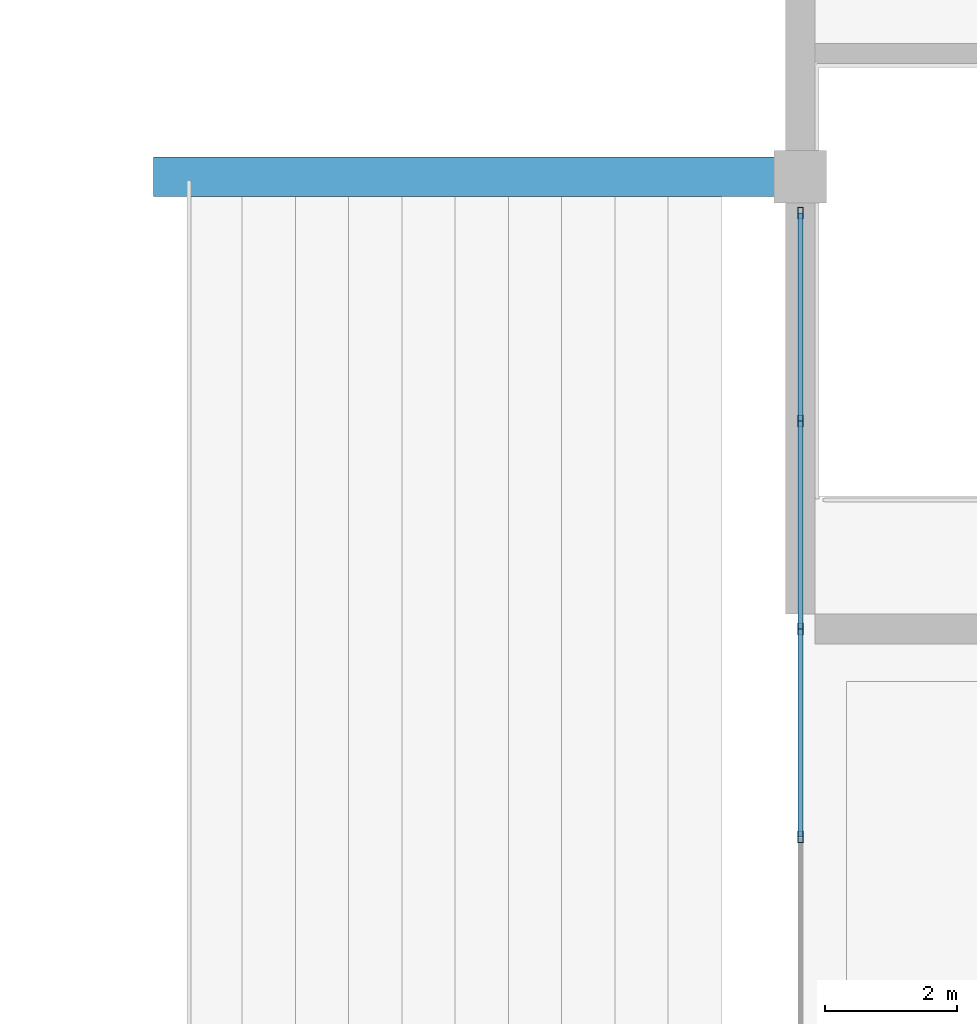
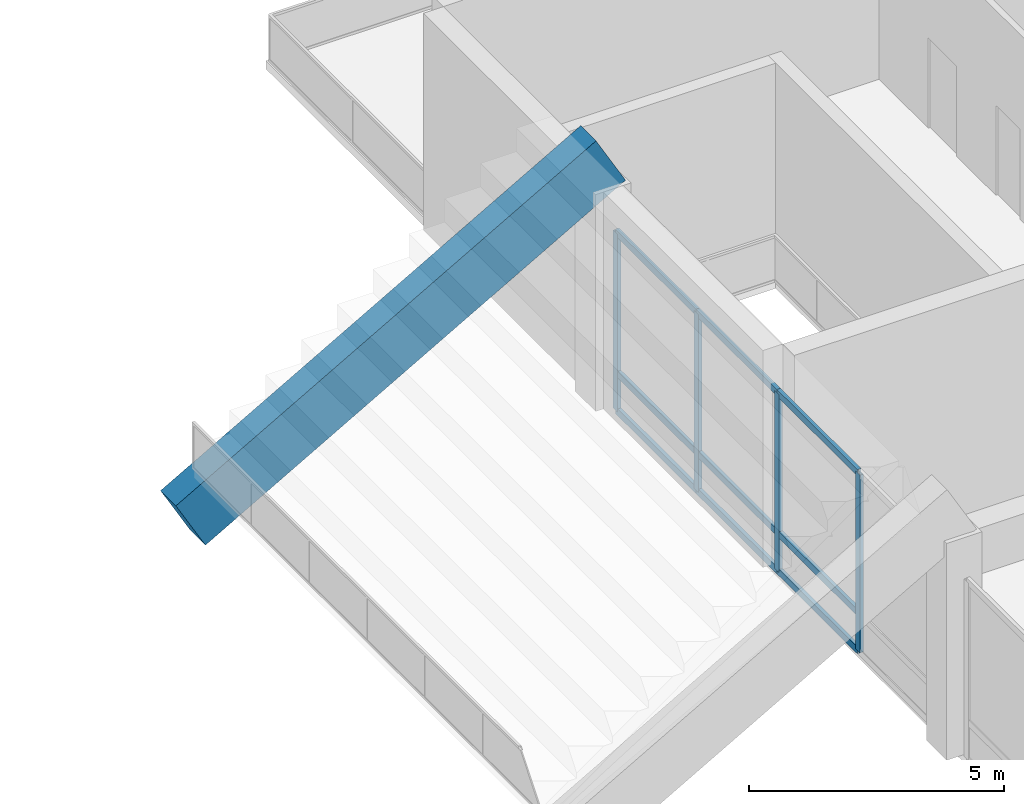
# One storey, part 42 of 90: 13 members, 1 beam, 1 element without a shape of its own.
"""IFC4 building model written with IfcOpenShell, lengths in metres."""

from ifc_helpers import new_model, si_unit, direction, frame, origin, origin_2d, place, context, subcontext, project, spatial, rectangle, hollow_rectangle, extrude, material, material_profile, profile_set, type_object, element, aggregate, save


model = new_model("IFC4")

# Units and contexts
model_context = context("Model", 3, precision=1e-05, world=origin(), true_north=direction((0.0, 1.0)))
body_context = subcontext(model_context, "Body", "Model", "MODEL_VIEW")
ifc_project = project(units=[si_unit("LENGTHUNIT", "METRE"), si_unit("AREAUNIT", "SQUARE_METRE"), si_unit("VOLUMEUNIT", "CUBIC_METRE"), si_unit("PLANEANGLEUNIT", "RADIAN"), si_unit("MASSUNIT", "GRAM", prefix="KILO")], contexts=[model_context])

# Site, building, storey
site_placement = place(None, origin())
site = spatial("IfcSite", under=ifc_project, at=site_placement, CompositionType="ELEMENT")
building_placement = place(site_placement, origin())
building = spatial("IfcBuilding", under=site, at=building_placement, Name="Linyun Crest Stadium", CompositionType="ELEMENT")
storey_placement = place(building_placement, frame((0.0, 0.0, 21.0)))
storey = spatial("IfcBuildingStorey", under=building, at=storey_placement, Name="L05", CompositionType="ELEMENT", Elevation=21.0)

# Curtain wall, members
ifc_material_1 = material(Name="Verdigris steel and low-E curtain wall assembly", Category="steel")
curtain_wall_type = type_object("IfcCurtainWallType", Name="MCW01", PredefinedType="NOTDEFINED", material=ifc_material_1)
curtain_wall_placement = place(storey_placement, origin())
curtain_wall = element("IfcCurtainWall", 1, at=curtain_wall_placement, inside=storey, type_object=curtain_wall_type, Name="CWR-126", PredefinedType="NOTDEFINED")
ifc_material_2 = material(Name="Verdigris painted steel Q355B mullion", Category="steel")
ifc_material_profile_1 = material_profile(ifc_material_2, hollow_rectangle(XDim=0.080078125, YDim=0.179931640625, WallThickness=0.006103515625, at=origin_2d()), Name="RHS 180x80x6")
ifc_profile_set_1 = profile_set([ifc_material_profile_1], Name="Verdigris painted steel Q355B mullion")
member_type_1 = type_object("IfcMemberType", Name="ML02", PredefinedType="MULLION", material=ifc_profile_set_1)
member_1_placement = place(storey_placement, frame((70.0, 33.337890625, 0.0), z_axis=(0.0, 0.0, 1.0), x_axis=(-1.0, 0.0, 0.0)))
member_1 = element("IfcMember", 2, at=member_1_placement, type_object=member_type_1, Name="CWR-126 mullion 2", PredefinedType="MULLION", context=body_context, shape_type="SweptSolid", body=[
    extrude(hollow_rectangle(XDim=0.080078125, YDim=0.179931640625, WallThickness=0.006103515625, at=origin_2d()), origin(), (0.0, 0.0, 1.0), 4.25),
])
member_2_placement = place(storey_placement, frame((70.0, 36.5, 0.0), z_axis=(0.0, 0.0, 1.0), x_axis=(-1.0, 0.0, 0.0)))
member_2 = element("IfcMember", 3, at=member_2_placement, type_object=member_type_1, Name="CWR-126 mullion 3", PredefinedType="MULLION", context=body_context, shape_type="SweptSolid", body=[
    extrude(hollow_rectangle(XDim=0.080078125, YDim=0.179931640625, WallThickness=0.006103515625, at=origin_2d()), origin(), (0.0, 0.0, 1.0), 4.25),
])
member_3_placement = place(storey_placement, frame((70.0, 39.662109375, 0.0), z_axis=(0.0, 0.0, 1.0), x_axis=(-1.0, 0.0, 0.0)))
member_3 = element("IfcMember", 4, at=member_3_placement, type_object=member_type_1, Name="CWR-126 mullion 4", PredefinedType="MULLION", context=body_context, shape_type="SweptSolid", body=[
    extrude(hollow_rectangle(XDim=0.080078125, YDim=0.179931640625, WallThickness=0.006103515625, at=origin_2d()), origin(), (0.0, 0.0, 1.0), 4.25),
])
member_4_placement = place(storey_placement, frame((70.0, 42.824951171875, 0.0), z_axis=(0.0, 0.0, 1.0), x_axis=(-1.0, 0.0, 0.0)))
member_4 = element("IfcMember", 5, at=member_4_placement, type_object=member_type_1, Name="CWR-126 mullion 5", PredefinedType="MULLION", context=body_context, shape_type="SweptSolid", body=[
    extrude(hollow_rectangle(XDim=0.080078125, YDim=0.179931640625, WallThickness=0.006103515625, at=origin_2d()), origin(), (0.0, 0.0, 1.0), 4.25),
])

# Beam
ifc_material_3 = material(Name="Precast concrete C50", Category="concrete")
ifc_material_profile_2 = material_profile(ifc_material_3, rectangle(XDim=0.60009765625, YDim=1.35009765625, at=origin_2d()), Name="PCR 1350x600")
ifc_profile_set_2 = profile_set([ifc_material_profile_2], Name="Precast concrete C50")
beam_type = type_object("IfcBeamType", Name="RB03", PredefinedType="USERDEFINED", material=ifc_profile_set_2)
beam_placement = place(storey_placement, frame((60.5, 43.375, 0.39990234375), z_axis=(0.869361451527, 0.0, 0.494176756433), x_axis=(0.0, 1.0, 0.0)))
element("IfcBeam", 6, at=beam_placement, inside=storey, type_object=beam_type, Name="Precast raker beam RB03 V2 64", ObjectType="RAKER", PredefinedType="USERDEFINED", context=body_context, shape_type="SweptSolid", body=[
    extrude(rectangle(XDim=0.60009765625, YDim=1.35009765625, at=origin_2d()), origin(), (0.0, 0.0, 1.0), 10.927490234375),
])

# Member
ifc_material_4 = material(Name="Aluminium thermally broken transom", Category="aluminium")
ifc_material_profile_3 = material_profile(ifc_material_4, hollow_rectangle(XDim=0.080078125, YDim=0.159912109375, WallThickness=0.006103515625, at=origin_2d()), Name="RHS 160x80x6")
ifc_profile_set_3 = profile_set([ifc_material_profile_3], Name="Aluminium thermally broken transom")
member_type_2 = type_object("IfcMemberType", Name="TR01", PredefinedType="USERDEFINED", material=ifc_profile_set_3)
member_5_placement = place(storey_placement, frame((70.0, 33.337890625, 0.0), z_axis=(0.0, 1.0, 0.0), x_axis=(-1.0, 0.0, 0.0)))
member_5 = element("IfcMember", 7, at=member_5_placement, type_object=member_type_2, Name="CWR-126 transom 2.1", ObjectType="TRANSOM", PredefinedType="USERDEFINED", context=body_context, shape_type="SweptSolid", body=[
    extrude(hollow_rectangle(XDim=0.080078125, YDim=0.159912109375, WallThickness=0.006103515625, at=origin_2d()), origin(), (0.0, 0.0, 1.0), 3.162109375),
])

member_6_placement = place(storey_placement, frame((70.0, 33.337890625, 0.89990234375), z_axis=(0.0, 1.0, 0.0), x_axis=(-1.0, 0.0, 0.0)))
member_6 = element("IfcMember", 8, at=member_6_placement, type_object=member_type_2, Name="CWR-126 transom 2.2", ObjectType="TRANSOM", PredefinedType="USERDEFINED", context=body_context, shape_type="SweptSolid", body=[
    extrude(hollow_rectangle(XDim=0.080078125, YDim=0.159912109375, WallThickness=0.006103515625, at=origin_2d()), origin(), (0.0, 0.0, 1.0), 3.162109375),
])

member_7_placement = place(storey_placement, frame((70.0, 33.337890625, 4.25), z_axis=(0.0, 1.0, 0.0), x_axis=(-1.0, 0.0, 0.0)))
member_7 = element("IfcMember", 9, at=member_7_placement, type_object=member_type_2, Name="CWR-126 transom 2.3", ObjectType="TRANSOM", PredefinedType="USERDEFINED", context=body_context, shape_type="SweptSolid", body=[
    extrude(hollow_rectangle(XDim=0.080078125, YDim=0.159912109375, WallThickness=0.006103515625, at=origin_2d()), origin(), (0.0, 0.0, 1.0), 3.162109375),
])

member_8_placement = place(storey_placement, frame((70.0, 36.5, 0.0), z_axis=(0.0, 1.0, 0.0), x_axis=(-1.0, 0.0, 0.0)))
member_8 = element("IfcMember", 10, at=member_8_placement, type_object=member_type_2, Name="CWR-126 transom 3.1", ObjectType="TRANSOM", PredefinedType="USERDEFINED", context=body_context, shape_type="SweptSolid", body=[
    extrude(hollow_rectangle(XDim=0.080078125, YDim=0.159912109375, WallThickness=0.006103515625, at=origin_2d()), origin(), (0.0, 0.0, 1.0), 3.162109375),
])

member_9_placement = place(storey_placement, frame((70.0, 36.5, 0.89990234375), z_axis=(0.0, 1.0, 0.0), x_axis=(-1.0, 0.0, 0.0)))
member_9 = element("IfcMember", 11, at=member_9_placement, type_object=member_type_2, Name="CWR-126 transom 3.2", ObjectType="TRANSOM", PredefinedType="USERDEFINED", context=body_context, shape_type="SweptSolid", body=[
    extrude(hollow_rectangle(XDim=0.080078125, YDim=0.159912109375, WallThickness=0.006103515625, at=origin_2d()), origin(), (0.0, 0.0, 1.0), 3.162109375),
])

member_10_placement = place(storey_placement, frame((70.0, 36.5, 4.25), z_axis=(0.0, 1.0, 0.0), x_axis=(-1.0, 0.0, 0.0)))
member_10 = element("IfcMember", 12, at=member_10_placement, type_object=member_type_2, Name="CWR-126 transom 3.3", ObjectType="TRANSOM", PredefinedType="USERDEFINED", context=body_context, shape_type="SweptSolid", body=[
    extrude(hollow_rectangle(XDim=0.080078125, YDim=0.159912109375, WallThickness=0.006103515625, at=origin_2d()), origin(), (0.0, 0.0, 1.0), 3.162109375),
])

member_11_placement = place(storey_placement, frame((70.0, 39.662109375, 0.0), z_axis=(0.0, 1.0, 0.0), x_axis=(-1.0, 0.0, 0.0)))
member_11 = element("IfcMember", 13, at=member_11_placement, type_object=member_type_2, Name="CWR-126 transom 4.1", ObjectType="TRANSOM", PredefinedType="USERDEFINED", context=body_context, shape_type="SweptSolid", body=[
    extrude(hollow_rectangle(XDim=0.080078125, YDim=0.159912109375, WallThickness=0.006103515625, at=origin_2d()), origin(), (0.0, 0.0, 1.0), 3.162841796875),
])

member_12_placement = place(storey_placement, frame((70.0, 39.662109375, 0.89990234375), z_axis=(0.0, 1.0, 0.0), x_axis=(-1.0, 0.0, 0.0)))
member_12 = element("IfcMember", 14, at=member_12_placement, type_object=member_type_2, Name="CWR-126 transom 4.2", ObjectType="TRANSOM", PredefinedType="USERDEFINED", context=body_context, shape_type="SweptSolid", body=[
    extrude(hollow_rectangle(XDim=0.080078125, YDim=0.159912109375, WallThickness=0.006103515625, at=origin_2d()), origin(), (0.0, 0.0, 1.0), 3.162841796875),
])

member_13_placement = place(storey_placement, frame((70.0, 39.662109375, 4.25), z_axis=(0.0, 1.0, 0.0), x_axis=(-1.0, 0.0, 0.0)))
member_13 = element("IfcMember", 15, at=member_13_placement, type_object=member_type_2, Name="CWR-126 transom 4.3", ObjectType="TRANSOM", PredefinedType="USERDEFINED", context=body_context, shape_type="SweptSolid", body=[
    extrude(hollow_rectangle(XDim=0.080078125, YDim=0.159912109375, WallThickness=0.006103515625, at=origin_2d()), origin(), (0.0, 0.0, 1.0), 3.162841796875),
])

aggregate(curtain_wall, [member_1, member_2, member_3, member_4, member_5, member_6, member_7, member_8, member_9, member_10, member_11, member_12, member_13])

save(model, "model.ifc")
